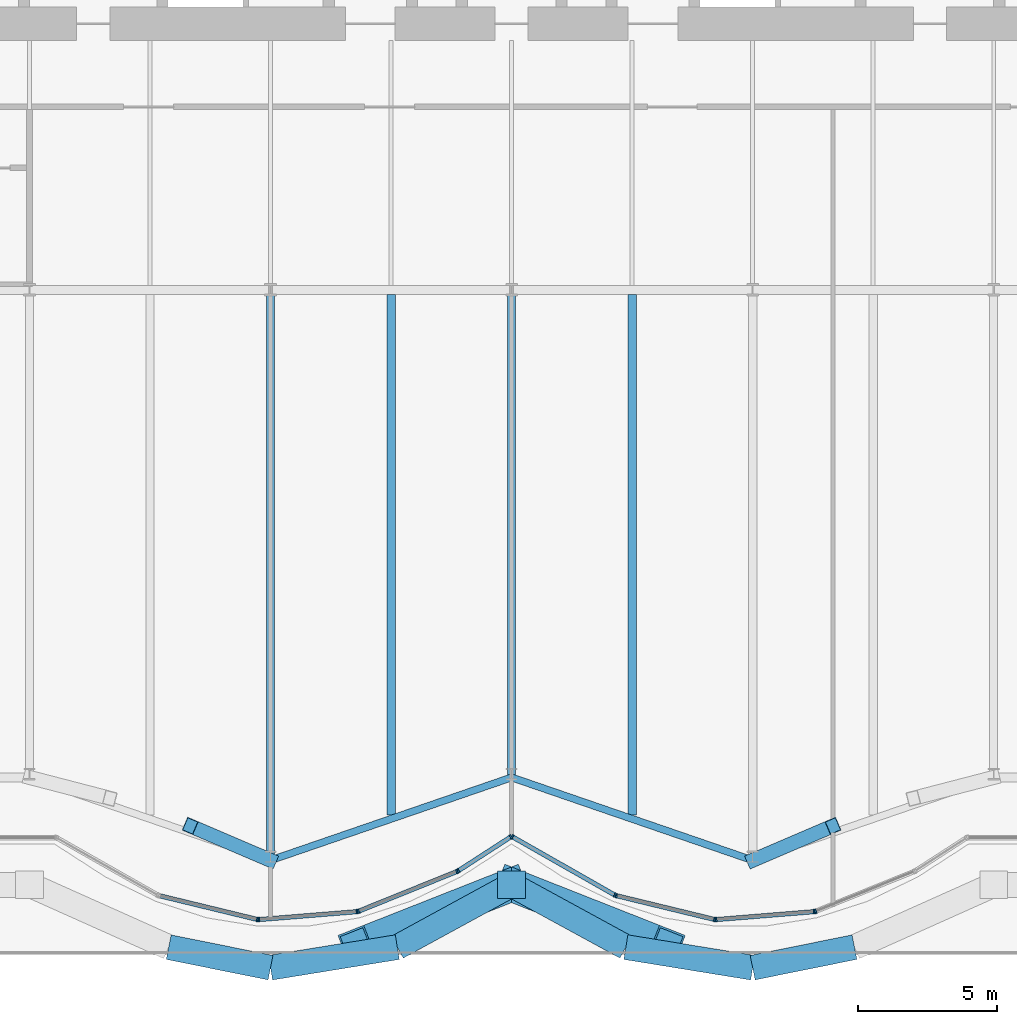
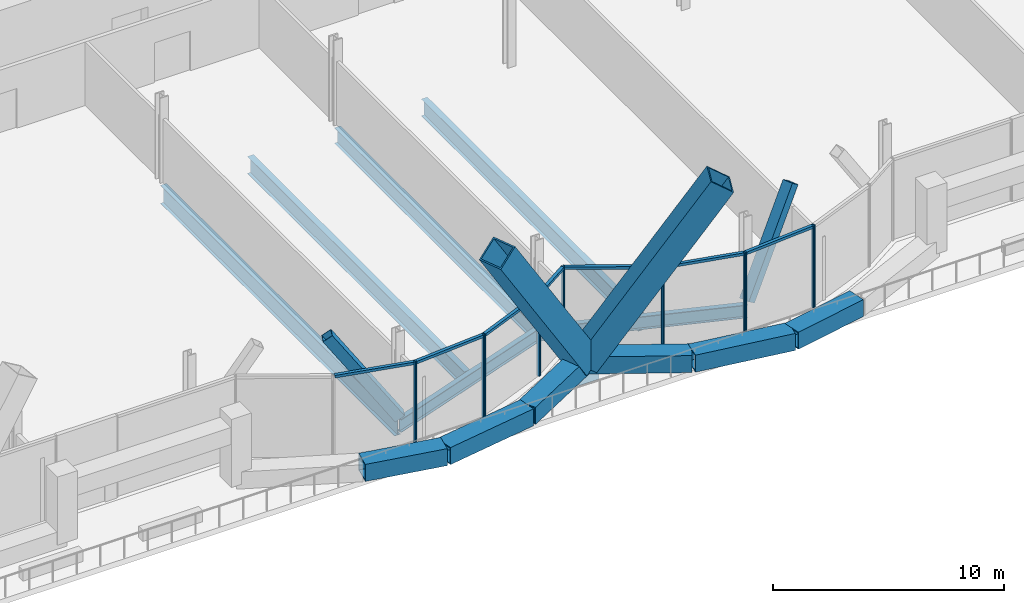
# One storey, part 8 of 29: 32 members, 6 beams, 2 elements without a shape of their own.
"""IFC4 building model written with IfcOpenShell, lengths in metres."""

from ifc_helpers import new_model, si_unit, direction, frame, origin, origin_2d, place, context, subcontext, project, spatial, rectangle, hollow_rectangle, i_section, extrude, material, material_profile, profile_set, type_object, element, aggregate, save


model = new_model("IFC4")

# Units and contexts
model_context = context("Model", 3, precision=1e-05, world=origin(), true_north=direction((0.0, 1.0)))
body_context = subcontext(model_context, "Body", "Model", "MODEL_VIEW")
ifc_project = project(units=[si_unit("LENGTHUNIT", "METRE"), si_unit("AREAUNIT", "SQUARE_METRE"), si_unit("VOLUMEUNIT", "CUBIC_METRE"), si_unit("PLANEANGLEUNIT", "RADIAN"), si_unit("MASSUNIT", "GRAM", prefix="KILO")], contexts=[model_context])

# Site, building, storey
site_placement = place(None, origin())
site = spatial("IfcSite", under=ifc_project, at=site_placement, CompositionType="ELEMENT")
building_placement = place(site_placement, origin())
building = spatial("IfcBuilding", under=site, at=building_placement, Name="Bicima Exchange Tower", CompositionType="ELEMENT")
storey_placement = place(building_placement, frame((0.0, 0.0, 35.0)))
storey = spatial("IfcBuildingStorey", under=building, at=storey_placement, Name="L06", CompositionType="ELEMENT", Elevation=35.0)

# Members
ifc_material_1 = material(Name="Steel ASTM A572 Gr 50", Category="steel")
ifc_material_profile_1 = material_profile(ifc_material_1, hollow_rectangle(XDim=0.89990234375, YDim=0.89990234375, WallThickness=0.050048828125, at=origin_2d()))
ifc_profile_set_1 = profile_set([ifc_material_profile_1], Name="Steel ASTM A572 Gr 50")
member_type_1 = type_object("IfcMemberType", Name="Exo belt ring BOX 900x900x50", PredefinedType="CHORD", material=ifc_profile_set_1)
member_1_placement = place(storey_placement, frame((-12.375, -45.7255859375, 0.449951171875), z_axis=(0.980261296504, -0.197706324067, 0.0), x_axis=(0.197706324067, 0.980261296504, 0.0)))
element("IfcMember", 1, at=member_1_placement, inside=storey, type_object=member_type_1, Name="Exo belt ring", PredefinedType="CHORD", context=body_context, shape_type="SweptSolid", body=[
    extrude(hollow_rectangle(XDim=0.89990234375, YDim=0.89990234375, WallThickness=0.050048828125, at=origin_2d()), origin(), (0.0, 0.0, 1.0), 3.7490234375),
])
member_2_placement = place(storey_placement, frame((-8.699951171875, -46.466796875, 0.449951171875), z_axis=(0.98712841336, 0.159929658091, 0.0), x_axis=(-0.159929658091, 0.98712841336, 0.0)))
element("IfcMember", 2, at=member_2_placement, inside=storey, type_object=member_type_1, Name="Exo belt ring", PredefinedType="CHORD", context=body_context, shape_type="SweptSolid", body=[
    extrude(hollow_rectangle(XDim=0.89990234375, YDim=0.89990234375, WallThickness=0.050048828125, at=origin_2d()), origin(), (0.0, 0.0, 1.0), 4.634521484375),
])
for number, where, z_axis, x_axis, name in (
    (3, (-4.125, -45.7255859375, 0.449951171875), (0.877895572914, 0.478852130681, 0.0), (-0.478852130681, 0.877895572914, 0.0), "Exo belt ring"),
    (4, (0.0, -43.4755859375, 0.449951171875), (0.877895572914, -0.478852130681, 0.0), (0.478852130681, 0.877895572914, 0.0), "Exo belt ring"),
):
    element("IfcMember", number, at=place(storey_placement, frame(where, z_axis=z_axis, x_axis=x_axis)), inside=storey, type_object=member_type_1, Name=name, PredefinedType="CHORD", context=body_context, shape_type="SweptSolid", body=[
        extrude(hollow_rectangle(XDim=0.89990234375, YDim=0.89990234375, WallThickness=0.050048828125, at=origin_2d()), origin(), (0.0, 0.0, 1.0), 4.69873046875),
    ])
member_3_placement = place(storey_placement, frame((4.125, -45.7255859375, 0.449951171875), z_axis=(0.98712841336, -0.159929658091, 0.0), x_axis=(0.159929658091, 0.98712841336, 0.0)))
element("IfcMember", 5, at=member_3_placement, inside=storey, type_object=member_type_1, Name="Exo belt ring", PredefinedType="CHORD", context=body_context, shape_type="SweptSolid", body=[
    extrude(hollow_rectangle(XDim=0.89990234375, YDim=0.89990234375, WallThickness=0.050048828125, at=origin_2d()), origin(), (0.0, 0.0, 1.0), 4.634521484375),
])
member_4_placement = place(storey_placement, frame((8.699951171875, -46.466796875, 0.449951171875), z_axis=(0.980261296504, 0.197706324067, 0.0), x_axis=(-0.197706324067, 0.980261296504, 0.0)))
element("IfcMember", 6, at=member_4_placement, inside=storey, type_object=member_type_1, Name="Exo belt ring", PredefinedType="CHORD", context=body_context, shape_type="SweptSolid", body=[
    extrude(hollow_rectangle(XDim=0.89990234375, YDim=0.89990234375, WallThickness=0.050048828125, at=origin_2d()), origin(), (0.0, 0.0, 1.0), 3.7490234375),
])
ifc_material_profile_2 = material_profile(ifc_material_1, hollow_rectangle(XDim=1.199951171875, YDim=1.199951171875, WallThickness=0.070068359375, at=origin_2d()))
ifc_profile_set_2 = profile_set([ifc_material_profile_2], Name="Steel ASTM A572 Gr 50")
member_type_2 = type_object("IfcMemberType", Name="Exo mega brace BOX 1200x1200x70", PredefinedType="BRACE", material=ifc_profile_set_2)
for number, where, z_axis, x_axis, name in (
    (7, (0.0, -43.4755859375, 0.449951171875), (0.519106624166, -0.204791637729, 0.829812447402), (0.366982228712, 0.930227952606, 0.0), "Exo mega brace front"),
    (8, (0.0, -43.4755859375, 0.449951171875), (-0.519106624166, -0.204791637729, 0.829812447402), (0.366982228712, -0.930227952606, 0.0), "Exo mega brace front"),
):
    element("IfcMember", number, at=place(storey_placement, frame(where, z_axis=z_axis, x_axis=x_axis)), inside=storey, type_object=member_type_2, Name=name, PredefinedType="BRACE", context=body_context, shape_type="SweptSolid", body=[
        extrude(hollow_rectangle(XDim=1.199951171875, YDim=1.199951171875, WallThickness=0.070068359375, at=origin_2d()), origin(), (0.0, 0.0, 1.0), 10.755615234375),
    ])
ifc_material_2 = material(Name="Cast steel ASTM A216 Gr WCB", Category="steel")
ifc_material_profile_3 = material_profile(ifc_material_2, rectangle(XDim=1.0, YDim=1.0, at=origin_2d()))
ifc_profile_set_3 = profile_set([ifc_material_profile_3], Name="Cast steel ASTM A216 Gr WCB")
member_type_3 = type_object("IfcMemberType", Name="Exo node block", PredefinedType="POST", material=ifc_profile_set_3)
member_5_placement = place(storey_placement, frame((0.0, -43.4755859375, -0.449951171875), z_axis=(0.0, 0.0, 1.0), x_axis=(1.0, 0.0, 0.0)))
element("IfcMember", 9, at=member_5_placement, inside=storey, type_object=member_type_3, Name="Exo node block", PredefinedType="POST", context=body_context, shape_type="SweptSolid", body=[
    extrude(rectangle(XDim=1.0, YDim=1.0, at=origin_2d()), origin(), (0.0, 0.0, 1.0), 1.800048828125),
])

# Beams
ifc_material_3 = material(Name="Steel ASTM A992 Gr 50", Category="steel")
ifc_material_profile_4 = material_profile(ifc_material_3, i_section(OverallWidth=0.2919921875, OverallDepth=0.835693359375, WebThickness=0.013916015625, FlangeThickness=0.018798828125, at=origin_2d()))
ifc_profile_set_4 = profile_set([ifc_material_profile_4], Name="Steel ASTM A992 Gr 50")
beam_type_1 = type_object("IfcBeamType", Name="Floor beam W33x118", PredefinedType="JOIST", material=ifc_profile_set_4)
beam_1_placement = place(storey_placement, frame((0.0, -22.16259765625, -0.56787109375), z_axis=(0.0, -1.0, 0.0), x_axis=(1.0, 0.0, 0.0)))
element("IfcBeam", 10, at=beam_1_placement, inside=storey, type_object=beam_type_1, Name="Floor beam", PredefinedType="JOIST", context=body_context, shape_type="SweptSolid", body=[
    extrude(i_section(OverallWidth=0.2919921875, OverallDepth=0.835693359375, WebThickness=0.013916015625, FlangeThickness=0.018798828125, at=origin_2d()), origin(), (0.0, 0.0, 1.0), 17.4375),
])
ifc_material_profile_5 = material_profile(ifc_material_3, i_section(OverallWidth=0.3046875, OverallDepth=0.904296875, WebThickness=0.01513671875, FlangeThickness=0.02001953125, at=origin_2d()))
ifc_profile_set_5 = profile_set([ifc_material_profile_5], Name="Steel ASTM A992 Gr 50")
beam_type_2 = type_object("IfcBeamType", Name="Floor beam W36x135", PredefinedType="JOIST", material=ifc_profile_set_5)
for number, where, z_axis, x_axis, name in (
    (11, (-4.35009765625, -22.16259765625, -0.60205078125), (0.0, -1.0, 0.0), (1.0, 0.0, 0.0), "Floor beam"),
    (12, (4.35009765625, -22.16259765625, -0.60205078125), (0.0, -1.0, 0.0), (1.0, 0.0, 0.0), "Floor beam"),
):
    element("IfcBeam", number, at=place(storey_placement, frame(where, z_axis=z_axis, x_axis=x_axis)), inside=storey, type_object=beam_type_2, Name=name, PredefinedType="JOIST", context=body_context, shape_type="SweptSolid", body=[
        extrude(i_section(OverallWidth=0.3046875, OverallDepth=0.904296875, WebThickness=0.01513671875, FlangeThickness=0.02001953125, at=origin_2d()), origin(), (0.0, 0.0, 1.0), 18.79736328125),
    ])
ifc_material_profile_6 = material_profile(ifc_material_3, i_section(OverallWidth=0.2998046875, OverallDepth=0.97021484375, WebThickness=0.01611328125, FlangeThickness=0.02099609375, at=origin_2d()))
ifc_profile_set_6 = profile_set([ifc_material_profile_6], Name="Steel ASTM A992 Gr 50")
beam_type_3 = type_object("IfcBeamType", Name="Floor beam W40x149", PredefinedType="JOIST", material=ifc_profile_set_6)
beam_2_placement = place(storey_placement, frame((-8.699951171875, -22.16259765625, -0.635009765625), z_axis=(0.0, -1.0, 0.0), x_axis=(1.0, 0.0, 0.0)))
element("IfcBeam", 13, at=beam_2_placement, inside=storey, type_object=beam_type_3, Name="Floor beam", PredefinedType="JOIST", context=body_context, shape_type="SweptSolid", body=[
    extrude(i_section(OverallWidth=0.2998046875, OverallDepth=0.97021484375, WebThickness=0.01611328125, FlangeThickness=0.02099609375, at=origin_2d()), origin(), (0.0, 0.0, 1.0), 20.292724609375),
])
ifc_material_profile_7 = material_profile(ifc_material_3, i_section(OverallWidth=0.256591796875, OverallDepth=0.693359375, WebThickness=0.014404296875, FlangeThickness=0.023681640625, at=origin_2d()))
ifc_profile_set_7 = profile_set([ifc_material_profile_7], Name="Steel ASTM A992 Gr 50")
beam_type_4 = type_object("IfcBeamType", Name="Front girder W27x114", PredefinedType="BEAM", material=ifc_profile_set_7)
for number, where, z_axis, x_axis, name in (
    (14, (-8.699951171875, -42.591064453125, -0.49658203125), (0.945674616091, 0.32511462668, 0.0), (-0.32511462668, 0.945674616091, 0.0), "Front girder"),
    (15, (0.0, -39.60009765625, -0.49658203125), (0.945674616091, -0.32511462668, 0.0), (0.32511462668, 0.945674616091, 0.0), "Front girder"),
):
    element("IfcBeam", number, at=place(storey_placement, frame(where, z_axis=z_axis, x_axis=x_axis)), inside=storey, type_object=beam_type_4, Name=name, PredefinedType="BEAM", context=body_context, shape_type="SweptSolid", body=[
        extrude(i_section(OverallWidth=0.256591796875, OverallDepth=0.693359375, WebThickness=0.014404296875, FlangeThickness=0.023681640625, at=origin_2d()), origin(), (0.0, 0.0, 1.0), 9.19970703125),
    ])

# Curtain wall, members
ifc_material_4 = material(Name="Anodised bronze aluminium", Category="aluminium")
curtain_wall_type = type_object("IfcCurtainWallType", Name="Front glass wall", PredefinedType="NOTDEFINED", material=ifc_material_4)
curtain_wall_1_placement = place(storey_placement, origin())
curtain_wall_1 = element("IfcCurtainWall", 16, at=curtain_wall_1_placement, inside=storey, type_object=curtain_wall_type, Name="Front glass wall L06 run 6", PredefinedType="NOTDEFINED")
ifc_material_profile_8 = material_profile(ifc_material_4, rectangle(XDim=0.159912109375, YDim=0.06005859375, at=origin_2d()))
ifc_profile_set_8 = profile_set([ifc_material_profile_8], Name="Anodised bronze aluminium")
member_type_4 = type_object("IfcMemberType", Name="Front glass wall mullion 60 x 160", PredefinedType="MULLION", material=ifc_profile_set_8)
member_6_placement = place(storey_placement, frame((-9.177490234375, -44.725830078125, 0.0), z_axis=(0.0, 0.0, 1.0), x_axis=(0.235681529503, 0.971830343553, 0.0)))
member_6 = element("IfcMember", 17, at=member_6_placement, type_object=member_type_4, Name="Front glass wall mullion 2", PredefinedType="MULLION", context=body_context, shape_type="SweptSolid", body=[
    extrude(rectangle(XDim=0.159912109375, YDim=0.06005859375, at=origin_2d()), origin(), (0.0, 0.0, 1.0), 4.35009765625),
])
member_7_placement = place(storey_placement, frame((-9.118408203125, -44.730712890625, 0.0), z_axis=(0.0, 0.0, 1.0), x_axis=(-0.080588612633, 0.99674744821, 0.0)))
member_7 = element("IfcMember", 18, at=member_7_placement, type_object=member_type_4, Name="Front glass wall mullion 1", PredefinedType="MULLION", context=body_context, shape_type="SweptSolid", body=[
    extrude(rectangle(XDim=0.159912109375, YDim=0.06005859375, at=origin_2d()), origin(), (0.0, 0.0, 1.0), 4.35009765625),
])
member_8_placement = place(storey_placement, frame((-5.583984375, -44.44482421875, 0.0), z_axis=(0.0, 0.0, 1.0), x_axis=(-0.080588612633, 0.99674744821, 0.0)))
member_8 = element("IfcMember", 19, at=member_8_placement, type_object=member_type_4, Name="Front glass wall mullion 2", PredefinedType="MULLION", context=body_context, shape_type="SweptSolid", body=[
    extrude(rectangle(XDim=0.159912109375, YDim=0.06005859375, at=origin_2d()), origin(), (0.0, 0.0, 1.0), 4.35009765625),
])
member_9_placement = place(storey_placement, frame((-5.526123046875, -44.43115234375, 0.0), z_axis=(0.0, 0.0, 1.0), x_axis=(-0.374705304, 0.92714396679, 0.0)))
member_9 = element("IfcMember", 20, at=member_9_placement, type_object=member_type_4, Name="Front glass wall mullion 1", PredefinedType="MULLION", context=body_context, shape_type="SweptSolid", body=[
    extrude(rectangle(XDim=0.159912109375, YDim=0.06005859375, at=origin_2d()), origin(), (0.0, 0.0, 1.0), 4.35009765625),
])
member_10_placement = place(storey_placement, frame((-1.97412109375, -42.99560546875, 0.0), z_axis=(0.0, 0.0, 1.0), x_axis=(-0.374705304, 0.92714396679, 0.0)))
member_10 = element("IfcMember", 21, at=member_10_placement, type_object=member_type_4, Name="Front glass wall mullion 2", PredefinedType="MULLION", context=body_context, shape_type="SweptSolid", body=[
    extrude(rectangle(XDim=0.159912109375, YDim=0.06005859375, at=origin_2d()), origin(), (0.0, 0.0, 1.0), 4.35009765625),
])
member_11_placement = place(storey_placement, frame((-1.921142578125, -42.968017578125, 0.0), z_axis=(0.0, 0.0, 1.0), x_axis=(-0.542897457326, 0.839798994301, 0.0)))
member_11 = element("IfcMember", 22, at=member_11_placement, type_object=member_type_4, Name="Front glass wall mullion 1", PredefinedType="MULLION", context=body_context, shape_type="SweptSolid", body=[
    extrude(rectangle(XDim=0.159912109375, YDim=0.06005859375, at=origin_2d()), origin(), (0.0, 0.0, 1.0), 4.35009765625),
])
member_12_placement = place(storey_placement, frame((-0.025146484375, -41.742431640625, 0.0), z_axis=(0.0, 0.0, 1.0), x_axis=(-0.542897457326, 0.839798994301, 0.0)))
member_12 = element("IfcMember", 23, at=member_12_placement, type_object=member_type_4, Name="Front glass wall mullion 2", PredefinedType="MULLION", context=body_context, shape_type="SweptSolid", body=[
    extrude(rectangle(XDim=0.159912109375, YDim=0.06005859375, at=origin_2d()), origin(), (0.0, 0.0, 1.0), 4.35009765625),
])

curtain_wall_2_placement = place(storey_placement, origin())
curtain_wall_2 = element("IfcCurtainWall", 24, at=curtain_wall_2_placement, inside=storey, type_object=curtain_wall_type, Name="Front glass wall L06 run 11", PredefinedType="NOTDEFINED")
member_13_placement = place(storey_placement, frame((0.026123046875, -41.740966796875, 0.0), z_axis=(0.0, 0.0, 1.0), x_axis=(0.494330311331, 0.869274147378, 0.0)))
member_13 = element("IfcMember", 25, at=member_13_placement, type_object=member_type_4, Name="Front glass wall mullion 1", PredefinedType="MULLION", context=body_context, shape_type="SweptSolid", body=[
    extrude(rectangle(XDim=0.159912109375, YDim=0.06005859375, at=origin_2d()), origin(), (0.0, 0.0, 1.0), 4.35009765625),
])
member_14_placement = place(storey_placement, frame((3.7265625, -43.845458984375, 0.0), z_axis=(0.0, 0.0, 1.0), x_axis=(0.494330311331, 0.869274147378, 0.0)))
member_14 = element("IfcMember", 26, at=member_14_placement, type_object=member_type_4, Name="Front glass wall mullion 2", PredefinedType="MULLION", context=body_context, shape_type="SweptSolid", body=[
    extrude(rectangle(XDim=0.159912109375, YDim=0.06005859375, at=origin_2d()), origin(), (0.0, 0.0, 1.0), 4.35009765625),
])
member_15_placement = place(storey_placement, frame((3.781982421875, -43.8671875, 0.0), z_axis=(0.0, 0.0, 1.0), x_axis=(0.235681529503, 0.971830343553, 0.0)))
member_15 = element("IfcMember", 27, at=member_15_placement, type_object=member_type_4, Name="Front glass wall mullion 1", PredefinedType="MULLION", context=body_context, shape_type="SweptSolid", body=[
    extrude(rectangle(XDim=0.159912109375, YDim=0.06005859375, at=origin_2d()), origin(), (0.0, 0.0, 1.0), 4.35009765625),
])
member_16_placement = place(storey_placement, frame((7.322509765625, -44.725830078125, 0.0), z_axis=(0.0, 0.0, 1.0), x_axis=(0.235681529503, 0.971830343553, 0.0)))
member_16 = element("IfcMember", 28, at=member_16_placement, type_object=member_type_4, Name="Front glass wall mullion 2", PredefinedType="MULLION", context=body_context, shape_type="SweptSolid", body=[
    extrude(rectangle(XDim=0.159912109375, YDim=0.06005859375, at=origin_2d()), origin(), (0.0, 0.0, 1.0), 4.35009765625),
])
member_17_placement = place(storey_placement, frame((7.381591796875, -44.730712890625, 0.0), z_axis=(0.0, 0.0, 1.0), x_axis=(-0.080588612633, 0.99674744821, 0.0)))
member_17 = element("IfcMember", 29, at=member_17_placement, type_object=member_type_4, Name="Front glass wall mullion 1", PredefinedType="MULLION", context=body_context, shape_type="SweptSolid", body=[
    extrude(rectangle(XDim=0.159912109375, YDim=0.06005859375, at=origin_2d()), origin(), (0.0, 0.0, 1.0), 4.35009765625),
])
member_18_placement = place(storey_placement, frame((10.916015625, -44.44482421875, 0.0), z_axis=(0.0, 0.0, 1.0), x_axis=(-0.080588612633, 0.99674744821, 0.0)))
member_18 = element("IfcMember", 30, at=member_18_placement, type_object=member_type_4, Name="Front glass wall mullion 2", PredefinedType="MULLION", context=body_context, shape_type="SweptSolid", body=[
    extrude(rectangle(XDim=0.159912109375, YDim=0.06005859375, at=origin_2d()), origin(), (0.0, 0.0, 1.0), 4.35009765625),
])
member_19_placement = place(storey_placement, frame((10.973876953125, -44.43115234375, 0.0), z_axis=(0.0, 0.0, 1.0), x_axis=(-0.374705304, 0.92714396679, 0.0)))
member_19 = element("IfcMember", 31, at=member_19_placement, type_object=member_type_4, Name="Front glass wall mullion 1", PredefinedType="MULLION", context=body_context, shape_type="SweptSolid", body=[
    extrude(rectangle(XDim=0.159912109375, YDim=0.06005859375, at=origin_2d()), origin(), (0.0, 0.0, 1.0), 4.35009765625),
])

# Member
ifc_material_profile_9 = material_profile(ifc_material_4, rectangle(XDim=0.159912109375, YDim=0.139892578125, at=origin_2d()))
ifc_profile_set_9 = profile_set([ifc_material_profile_9], Name="Anodised bronze aluminium")
member_type_5 = type_object("IfcMemberType", Name="Front glass wall transom 140 x 160", PredefinedType="USERDEFINED", material=ifc_profile_set_9)
member_20_placement = place(storey_placement, frame((-12.68896484375, -43.874267578125, 4.280029296875), z_axis=(0.971817951661, -0.235732621477, 0.0), x_axis=(0.235732621477, 0.971817951661, 0.0)))
member_20 = element("IfcMember", 32, at=member_20_placement, type_object=member_type_5, Name="Front glass wall transom 1.1", ObjectType="TRANSOM", PredefinedType="USERDEFINED", context=body_context, shape_type="SweptSolid", body=[
    extrude(rectangle(XDim=0.159912109375, YDim=0.139892578125, at=origin_2d()), origin(), (0.0, 0.0, 1.0), 3.58349609375),
])

member_21_placement = place(storey_placement, frame((-9.08837890625, -44.728271484375, 4.280029296875), z_axis=(0.9967456465, 0.080610893699, 0.0), x_axis=(-0.080610893699, 0.9967456465, 0.0)))
member_21 = element("IfcMember", 33, at=member_21_placement, type_object=member_type_5, Name="Front glass wall transom 1.1", ObjectType="TRANSOM", PredefinedType="USERDEFINED", context=body_context, shape_type="SweptSolid", body=[
    extrude(rectangle(XDim=0.159912109375, YDim=0.139892578125, at=origin_2d()), origin(), (0.0, 0.0, 1.0), 3.48583984375),
])

member_22_placement = place(storey_placement, frame((-5.498291015625, -44.419921875, 4.280029296875), z_axis=(0.927140215882, 0.374714584842, 0.0), x_axis=(-0.374714584842, 0.927140215882, 0.0)))
member_22 = element("IfcMember", 34, at=member_22_placement, type_object=member_type_5, Name="Front glass wall transom 1.1", ObjectType="TRANSOM", PredefinedType="USERDEFINED", context=body_context, shape_type="SweptSolid", body=[
    extrude(rectangle(XDim=0.159912109375, YDim=0.139892578125, at=origin_2d()), origin(), (0.0, 0.0, 1.0), 3.77099609375),
])

member_23_placement = place(storey_placement, frame((-1.89599609375, -42.951904296875, 4.280029296875), z_axis=(0.839811483481, 0.542878137536, 0.0), x_axis=(-0.542878137536, 0.839811483481, 0.0)))
member_23 = element("IfcMember", 35, at=member_23_placement, type_object=member_type_5, Name="Front glass wall transom 1.1", ObjectType="TRANSOM", PredefinedType="USERDEFINED", context=body_context, shape_type="SweptSolid", body=[
    extrude(rectangle(XDim=0.159912109375, YDim=0.139892578125, at=origin_2d()), origin(), (0.0, 0.0, 1.0), 2.19775390625),
])

aggregate(curtain_wall_1, [member_6, member_20, member_7, member_8, member_21, member_9, member_10, member_22, member_11, member_12, member_23])

member_24_placement = place(storey_placement, frame((0.05224609375, -41.755859375, 4.280029296875), z_axis=(0.869265121745, -0.494346182466, 0.0), x_axis=(0.494346182466, 0.869265121745, 0.0)))
member_24 = element("IfcMember", 36, at=member_24_placement, type_object=member_type_5, Name="Front glass wall transom 1.1", ObjectType="TRANSOM", PredefinedType="USERDEFINED", context=body_context, shape_type="SweptSolid", body=[
    extrude(rectangle(XDim=0.159912109375, YDim=0.139892578125, at=origin_2d()), origin(), (0.0, 0.0, 1.0), 4.19677734375),
])

member_25_placement = place(storey_placement, frame((3.81103515625, -43.874267578125, 4.280029296875), z_axis=(0.971817951661, -0.235732621477, 0.0), x_axis=(0.235732621477, 0.971817951661, 0.0)))
member_25 = element("IfcMember", 37, at=member_25_placement, type_object=member_type_5, Name="Front glass wall transom 1.1", ObjectType="TRANSOM", PredefinedType="USERDEFINED", context=body_context, shape_type="SweptSolid", body=[
    extrude(rectangle(XDim=0.159912109375, YDim=0.139892578125, at=origin_2d()), origin(), (0.0, 0.0, 1.0), 3.58349609375),
])

member_26_placement = place(storey_placement, frame((7.41162109375, -44.728271484375, 4.280029296875), z_axis=(0.9967456465, 0.080610893699, 0.0), x_axis=(-0.080610893699, 0.9967456465, 0.0)))
member_26 = element("IfcMember", 38, at=member_26_placement, type_object=member_type_5, Name="Front glass wall transom 1.1", ObjectType="TRANSOM", PredefinedType="USERDEFINED", context=body_context, shape_type="SweptSolid", body=[
    extrude(rectangle(XDim=0.159912109375, YDim=0.139892578125, at=origin_2d()), origin(), (0.0, 0.0, 1.0), 3.48583984375),
])

aggregate(curtain_wall_2, [member_13, member_14, member_24, member_15, member_16, member_25, member_17, member_18, member_26, member_19])

# Members
ifc_material_profile_10 = material_profile(ifc_material_1, hollow_rectangle(XDim=0.508056640625, YDim=0.508056640625, WallThickness=0.017822265625, at=origin_2d()))
ifc_profile_set_10 = profile_set([ifc_material_profile_10], Name="Steel ASTM A572 Gr 50")
member_type_6 = type_object("IfcMemberType", Name="Mega brace HSS20x20x3/4", PredefinedType="BRACE", material=ifc_profile_set_10)
for number, where, z_axis, x_axis, name in (
    (39, (-8.699951171875, -42.591064453125, 0.0), (-0.527728275314, 0.225813858357, 0.818847341577), (-0.393396154839, -0.919369058299, 0.0), "Mega brace front"),
    (40, (8.699951171875, -42.591064453125, 0.0), (0.527728275314, 0.225813858357, 0.818847341577), (-0.393396154839, 0.919369058299, 0.0), "Mega brace front"),
):
    element("IfcMember", number, at=place(storey_placement, frame(where, z_axis=z_axis, x_axis=x_axis)), inside=storey, type_object=member_type_6, Name=name, PredefinedType="BRACE", context=body_context, shape_type="SweptSolid", body=[
        extrude(hollow_rectangle(XDim=0.508056640625, YDim=0.508056640625, WallThickness=0.017822265625, at=origin_2d()), origin(), (0.0, 0.0, 1.0), 5.49560546875),
    ])

save(model, "model.ifc")
